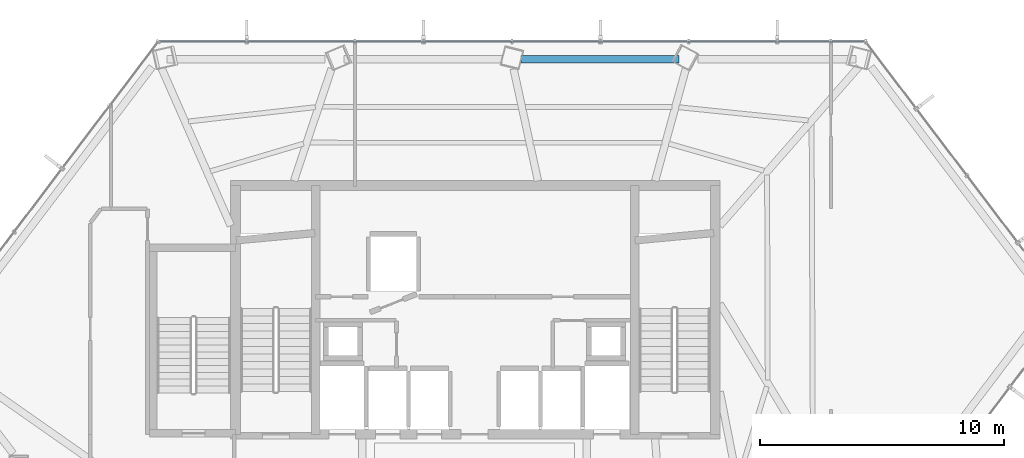
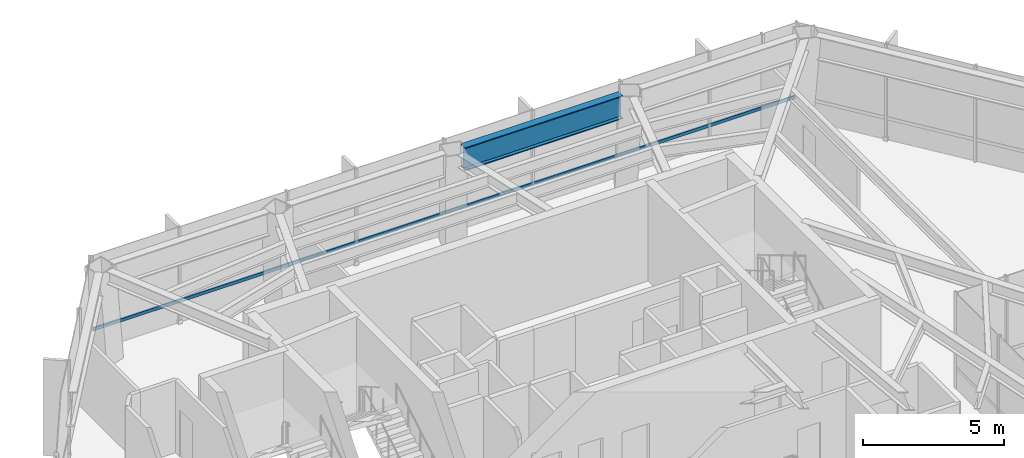
# One storey, part 13 of 25: 1 beam, 1 member, 1 element without a shape of its own.
"""IFC4 building model written with IfcOpenShell, lengths in metres."""

from ifc_helpers import new_model, si_unit, direction, frame, origin, origin_2d, place, context, subcontext, project, spatial, hollow_rectangle, i_section, extrude, material, layer, layer_set, material_profile, profile_set, type_object, element, aggregate, save


model = new_model("IFC4")

# Units and contexts
model_context = context("Model", 3, precision=1e-05, world=origin(), true_north=direction((0.0, 1.0)))
body_context = subcontext(model_context, "Body", "Model", "MODEL_VIEW")
ifc_project = project(units=[si_unit("LENGTHUNIT", "METRE"), si_unit("AREAUNIT", "SQUARE_METRE"), si_unit("VOLUMEUNIT", "CUBIC_METRE"), si_unit("PLANEANGLEUNIT", "RADIAN"), si_unit("MASSUNIT", "GRAM", prefix="KILO")], contexts=[model_context])

# Site, building, storey
site_placement = place(None, origin())
site = spatial("IfcSite", under=ifc_project, at=site_placement, CompositionType="ELEMENT")
building_placement = place(site_placement, origin())
building = spatial("IfcBuilding", under=site, at=building_placement, Name="Zarrinselat Tower", CompositionType="ELEMENT")
storey_placement = place(building_placement, frame((0.0, 0.0, 119.0)))
storey = spatial("IfcBuildingStorey", under=building, at=storey_placement, Name="L28", CompositionType="ELEMENT", Elevation=119.0)

# Beam
ifc_material_1 = material(Name="Steel S460M", Category="steel")
ifc_material_profile_1 = material_profile(ifc_material_1, i_section(OverallWidth=0.302001953125, OverallDepth=1.008056640625, WebThickness=0.02099609375, FlangeThickness=0.0400390625, at=origin_2d()), Name="HEM 1000")
ifc_profile_set_1 = profile_set([ifc_material_profile_1], Name="Steel S460M")
beam_type = type_object("IfcBeamType", Name="BM-HEM1000", PredefinedType="BEAM", material=ifc_profile_set_1)
beam_placement = place(storey_placement, frame((40.3037109375, 48.61669921875, 3.676025390625), z_axis=(1.0, 0.0, 0.0), x_axis=(0.0, 1.0, 0.0)))
element("IfcBeam", 1, at=beam_placement, inside=storey, type_object=beam_type, Name="L28 Perimeter Spandrel Girder SP02", PredefinedType="BEAM", context=body_context, shape_type="SweptSolid", body=[
    extrude(i_section(OverallWidth=0.302001953125, OverallDepth=1.008056640625, WebThickness=0.02099609375, FlangeThickness=0.0400390625, at=origin_2d()), origin(), (0.0, 0.0, 1.0), 6.473388671875),
])

# Curtain wall, member
ifc_material_2 = material(Name="Extruded Aluminium Alloy EN AW-6063 T6", Category="aluminium")
ifc_layer = layer(ifc_material_2, 0.195068359375)
ifc_layer_set = layer_set([ifc_layer], Name="Extruded Aluminium Alloy EN AW-6063 T6")
curtain_wall_type = type_object("IfcCurtainWallType", Name="CWS-GDN", PredefinedType="NOTDEFINED", material=ifc_layer_set)
curtain_wall_placement = place(storey_placement, origin())
curtain_wall = element("IfcCurtainWall", 2, at=curtain_wall_placement, inside=storey, type_object=curtain_wall_type, Name="L28 Unitised Curtain Wall CW-L28-E04", PredefinedType="NOTDEFINED")
ifc_material_3 = material(Name="Extruded Aluminium Alloy EN AW-6063 T6", Category="aluminium")
ifc_material_profile_2 = material_profile(ifc_material_3, hollow_rectangle(XDim=0.06005859375, YDim=0.139892578125, WallThickness=0.00390625, at=origin_2d()), Name="RHS 140x60x4")
ifc_profile_set_2 = profile_set([ifc_material_profile_2], Name="Extruded Aluminium Alloy EN AW-6063 T6")
member_type = type_object("IfcMemberType", Name="MEM-CW-TRN", PredefinedType="USERDEFINED", material=ifc_profile_set_2)
member_placement = place(storey_placement, frame((25.534423828125, 49.344482421875, 0.949951171875), z_axis=(1.0, 0.0, 0.0), x_axis=(0.0, 1.0, 0.0)))
member = element("IfcMember", 3, at=member_placement, type_object=member_type, Name="CW-L28-E04 Transom 1", ObjectType="TRANSOM", PredefinedType="USERDEFINED", context=body_context, shape_type="SweptSolid", body=[
    extrude(hollow_rectangle(XDim=0.06005859375, YDim=0.139892578125, WallThickness=0.00390625, at=origin_2d()), origin(), (0.0, 0.0, 1.0), 28.8017578125),
])
aggregate(curtain_wall, [member])

save(model, "model.ifc")
